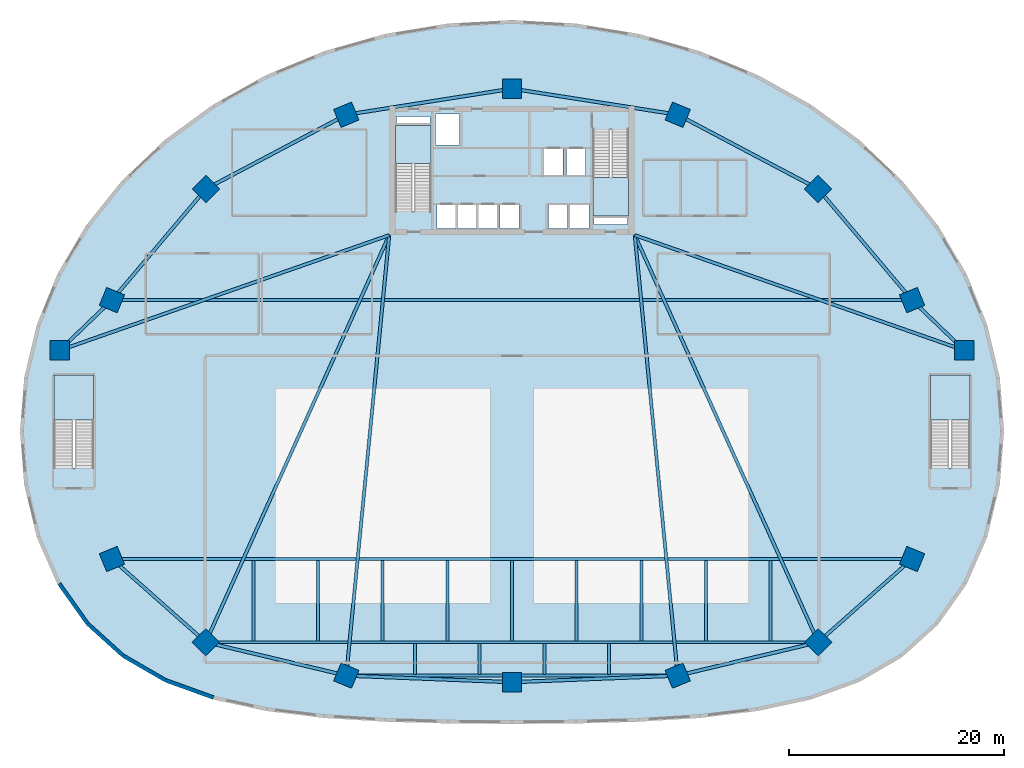
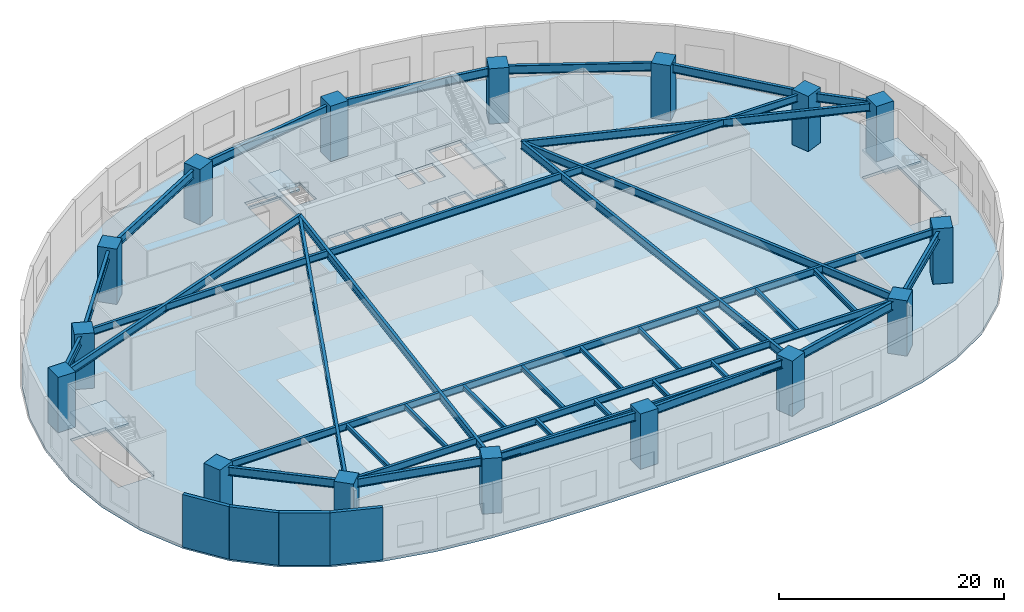
# One storey, part 1 of 10: 37 beams, 16 columns, 5 slabs, 4 walls, 4 elements without a shape of their own.
"""IFC4 building model written with IfcOpenShell, lengths in metres."""

from ifc_helpers import new_model, si_unit, direction, frame, frame_2d, origin, origin_2d, place, context, subcontext, project, spatial, polyline, rectangle, i_section, outline, extrude, source, transform, mapped, material, layer, layer_set, material_profile, profile_set, type_object, type_shapes, element, aggregate, save


model = new_model("IFC4")

# Units and contexts
model_context = context("Model", 3, precision=1e-05, world=origin(), true_north=direction((0.0, 1.0)))
body_context = subcontext(model_context, "Body", "Model", "MODEL_VIEW")
ifc_project = project(units=[si_unit("LENGTHUNIT", "METRE"), si_unit("AREAUNIT", "SQUARE_METRE"), si_unit("VOLUMEUNIT", "CUBIC_METRE"), si_unit("PLANEANGLEUNIT", "RADIAN"), si_unit("MASSUNIT", "GRAM", prefix="KILO")], contexts=[model_context])

# Site, building, storey
site_placement = place(None, origin())
site = spatial("IfcSite", under=ifc_project, at=site_placement, CompositionType="ELEMENT")
building_placement = place(site_placement, origin())
building = spatial("IfcBuilding", under=site, at=building_placement, Name="Breltana Convention Tower", CompositionType="ELEMENT")
storey_placement = place(building_placement, frame((0.0, 0.0, 12.0)))
storey = spatial("IfcBuildingStorey", under=building, at=storey_placement, Name="L02", CompositionType="ELEMENT", Elevation=12.0)

# Columns
ifc_material_1 = material(Name="Concrete C60/75", Category="concrete")
ifc_material_profile_1 = material_profile(ifc_material_1, rectangle(XDim=1.800048828125, YDim=1.800048828125, at=origin_2d()), Name="RC-COL-1800X1800")
ifc_profile_set_1 = profile_set([ifc_material_profile_1], Name="Concrete C60/75")
column_type = type_object("IfcColumnType", Name="COL-MC-1800", PredefinedType="COLUMN", material=ifc_profile_set_1)
shared_shape_1 = source(origin(), body_context, "Body", "SweptSolid", [
    extrude(rectangle(XDim=1.800048828125, YDim=1.800048828125, at=origin_2d()), origin(), (0.0, 0.0, 1.0), 6.0),
])
type_shapes(column_type, [shared_shape_1])
for number, where, z_axis, x_axis, name in (
    (1, (90.0, 49.5, 0.0), (0.0, 0.0, 1.0), (1.0, 0.0, 0.0), "L02 Podium Mega-Column MC-01"),
    (2, (85.139892578125, 54.169189453125, 0.0), (0.0, 0.0, 1.0), (0.923879532511, 0.382683432365, 0.0), "L02 Podium Mega-Column MC-02"),
    (3, (76.42578125, 64.486083984375, 0.0), (0.0, 0.0, 1.0), (0.707106781187, 0.707106781187, 0.0), "L02 Podium Mega-Column MC-03"),
    (4, (63.3837890625, 71.37939453125, 0.0), (0.0, 0.0, 1.0), (0.382683432365, 0.923879532511, 0.0), "L02 Podium Mega-Column MC-04"),
    (5, (48.0, 73.800048828125, 0.0), (0.0, 0.0, 1.0), (0.0, 1.0, 0.0), "L02 Podium Mega-Column MC-05"),
    (6, (32.6162109375, 71.37939453125, 0.0), (0.0, 0.0, 1.0), (-0.382683432365, 0.923879532511, 0.0), "L02 Podium Mega-Column MC-06"),
    (7, (19.57421875, 64.486083984375, 0.0), (0.0, 0.0, 1.0), (-0.707106781187, 0.707106781187, 0.0), "L02 Podium Mega-Column MC-07"),
    (8, (10.860107421875, 54.169189453125, 0.0), (0.0, 0.0, 1.0), (-0.923879532511, 0.382683432365, 0.0), "L02 Podium Mega-Column MC-08"),
    (9, (6.0, 49.5, 0.0), (0.0, 0.0, 1.0), (-1.0, 0.0, 0.0), "L02 Podium Mega-Column MC-09"),
    (10, (10.860107421875, 30.136962890625, 0.0), (0.0, 0.0, 1.0), (-0.923879532511, -0.382683432365, 0.0), "L02 Podium Mega-Column MC-10"),
    (11, (19.57421875, 22.412109375, 0.0), (0.0, 0.0, 1.0), (-0.707106781187, -0.707106781187, 0.0), "L02 Podium Mega-Column MC-11"),
    (12, (32.6162109375, 19.3125, 0.0), (0.0, 0.0, 1.0), (-0.382683432365, -0.923879532511, 0.0), "L02 Podium Mega-Column MC-12"),
    (13, (48.0, 18.699951171875, 0.0), (0.0, 0.0, 1.0), (0.0, -1.0, 0.0), "L02 Podium Mega-Column MC-13"),
    (14, (63.3837890625, 19.3125, 0.0), (0.0, 0.0, 1.0), (0.382683432365, -0.923879532511, 0.0), "L02 Podium Mega-Column MC-14"),
    (15, (76.42578125, 22.412109375, 0.0), (0.0, 0.0, 1.0), (0.707106781187, -0.707106781187, 0.0), "L02 Podium Mega-Column MC-15"),
    (16, (85.139892578125, 30.136962890625, 0.0), (0.0, 0.0, 1.0), (0.923879532511, -0.382683432365, 0.0), "L02 Podium Mega-Column MC-16"),
):
    element("IfcColumn", number, at=place(storey_placement, frame(where, z_axis=z_axis, x_axis=x_axis)), inside=storey, type_object=column_type, Name=name, PredefinedType="COLUMN", context=body_context, shape_type="MappedRepresentation", body=[
        mapped(shared_shape_1, transform((0.0, 0.0, 0.0), scale=1.0)),
    ])

# Beams
ifc_material_2 = material(Name="Steel ASTM A992 Grade 50", Category="steel")
ifc_material_profile_2 = material_profile(ifc_material_2, i_section(OverallWidth=0.304931640625, OverallDepth=0.9189453125, WebThickness=0.017333984375, FlangeThickness=0.02783203125, at=origin_2d()), Name="W36X170")
ifc_profile_set_2 = profile_set([ifc_material_profile_2], Name="Steel ASTM A992 Grade 50")
beam_type_1 = type_object("IfcBeamType", Name="BM-PD-W36X170", PredefinedType="USERDEFINED", material=ifc_profile_set_2)
shared_shape_2 = source(origin(), body_context, "Body", "SweptSolid", [
    extrude(i_section(OverallWidth=0.304931640625, OverallDepth=0.9189453125, WebThickness=0.017333984375, FlangeThickness=0.02783203125, at=origin_2d()), origin(), (0.0, 0.0, 1.0), 6.739501953125),
])
type_shapes(beam_type_1, [shared_shape_2])
for number, where, z_axis, x_axis, name in (
    (17, (90.0, 49.5, 5.240478515625), (-0.721128840463, 0.692800978242, 0.0), (-0.692800978242, -0.721128840463, 0.0), "L02 Podium Ring Girder 01"),
    (18, (10.860107421875, 54.169189453125, 5.240478515625), (-0.721128840463, -0.692800978242, 0.0), (0.692800978242, -0.721128840463, 0.0), "L02 Podium Ring Girder 08"),
):
    element("IfcBeam", number, at=place(storey_placement, frame(where, z_axis=z_axis, x_axis=x_axis)), inside=storey, type_object=beam_type_1, Name=name, ObjectType="GIRDER", PredefinedType="USERDEFINED", context=body_context, shape_type="MappedRepresentation", body=[
        mapped(shared_shape_2, transform((0.0, 0.0, 0.0), scale=1.0)),
    ])
shared_shape_3 = source(origin(), body_context, "Body", "SweptSolid", [
    extrude(i_section(OverallWidth=0.304931640625, OverallDepth=0.9189453125, WebThickness=0.017333984375, FlangeThickness=0.02783203125, at=origin_2d()), origin(), (0.0, 0.0, 1.0), 13.504638671875),
])
for number, where, z_axis, x_axis, name in (
    (19, (85.139892578125, 54.169189453125, 5.240478515625), (-0.645270162831, 0.763954460004, 0.0), (-0.763954460004, -0.645270162831, 0.0), "L02 Podium Ring Girder 02"),
    (20, (19.57421875, 64.486083984375, 5.240478515625), (-0.645270162831, -0.763954460004, 0.0), (0.763954460004, -0.645270162831, 0.0), "L02 Podium Ring Girder 07"),
):
    element("IfcBeam", number, at=place(storey_placement, frame(where, z_axis=z_axis, x_axis=x_axis)), inside=storey, type_object=beam_type_1, Name=name, ObjectType="GIRDER", PredefinedType="USERDEFINED", context=body_context, shape_type="MappedRepresentation", body=[
        mapped(shared_shape_3, transform((0.0, 0.0, 0.0), scale=1.0)),
    ])
shared_shape_4 = source(origin(), body_context, "Body", "SweptSolid", [
    extrude(i_section(OverallWidth=0.304931640625, OverallDepth=0.9189453125, WebThickness=0.017333984375, FlangeThickness=0.02783203125, at=origin_2d()), origin(), (0.0, 0.0, 1.0), 14.751708984375),
])
for number, where, z_axis, x_axis, name in (
    (21, (76.42578125, 64.486083984375, 5.240478515625), (-0.884103731281, 0.467290693611, 0.0), (-0.467290693611, -0.884103731281, 0.0), "L02 Podium Ring Girder 03"),
    (22, (32.6162109375, 71.37939453125, 5.240478515625), (-0.884103731281, -0.467290693611, 0.0), (0.467290693611, -0.884103731281, 0.0), "L02 Podium Ring Girder 06"),
):
    element("IfcBeam", number, at=place(storey_placement, frame(where, z_axis=z_axis, x_axis=x_axis)), inside=storey, type_object=beam_type_1, Name=name, ObjectType="GIRDER", PredefinedType="USERDEFINED", context=body_context, shape_type="MappedRepresentation", body=[
        mapped(shared_shape_4, transform((0.0, 0.0, 0.0), scale=1.0)),
    ])
shared_shape_5 = source(origin(), body_context, "Body", "SweptSolid", [
    extrude(i_section(OverallWidth=0.304931640625, OverallDepth=0.9189453125, WebThickness=0.017333984375, FlangeThickness=0.02783203125, at=origin_2d()), origin(), (0.0, 0.0, 1.0), 15.572998046875),
])
for number, where, z_axis, x_axis, name in (
    (23, (63.3837890625, 71.37939453125, 5.240478515625), (-0.987845575975, 0.155438470225, 0.0), (-0.155438470225, -0.987845575975, 0.0), "L02 Podium Ring Girder 04"),
    (24, (48.0, 73.800048828125, 5.240478515625), (-0.987845575975, -0.155438470225, 0.0), (0.155438470225, -0.987845575975, 0.0), "L02 Podium Ring Girder 05"),
):
    element("IfcBeam", number, at=place(storey_placement, frame(where, z_axis=z_axis, x_axis=x_axis)), inside=storey, type_object=beam_type_1, Name=name, ObjectType="GIRDER", PredefinedType="USERDEFINED", context=body_context, shape_type="MappedRepresentation", body=[
        mapped(shared_shape_5, transform((0.0, 0.0, 0.0), scale=1.0)),
    ])
shared_shape_6 = source(origin(), body_context, "Body", "SweptSolid", [
    extrude(i_section(OverallWidth=0.304931640625, OverallDepth=0.9189453125, WebThickness=0.017333984375, FlangeThickness=0.02783203125, at=origin_2d()), origin(), (0.0, 0.0, 1.0), 11.64501953125),
])
for number, where, z_axis, x_axis, name in (
    (25, (10.860107421875, 30.136962890625, 5.240478515625), (0.748305074373, -0.663354743458, 0.0), (0.663354743458, 0.748305074373, 0.0), "L02 Podium Ring Girder 10"),
    (26, (76.42578125, 22.412109375, 5.240478515625), (0.748305074373, 0.663354743458, 0.0), (-0.663354743458, 0.748305074373, 0.0), "L02 Podium Ring Girder 15"),
):
    element("IfcBeam", number, at=place(storey_placement, frame(where, z_axis=z_axis, x_axis=x_axis)), inside=storey, type_object=beam_type_1, Name=name, ObjectType="GIRDER", PredefinedType="USERDEFINED", context=body_context, shape_type="MappedRepresentation", body=[
        mapped(shared_shape_6, transform((0.0, 0.0, 0.0), scale=1.0)),
    ])
shared_shape_7 = source(origin(), body_context, "Body", "SweptSolid", [
    extrude(i_section(OverallWidth=0.304931640625, OverallDepth=0.9189453125, WebThickness=0.017333984375, FlangeThickness=0.02783203125, at=origin_2d()), origin(), (0.0, 0.0, 1.0), 13.4052734375),
])
for number, where, z_axis, x_axis, name in (
    (27, (19.57421875, 22.412109375, 5.240478515625), (0.972900712446, -0.231223276773, 0.0), (0.231223276773, 0.972900712446, 0.0), "L02 Podium Ring Girder 11"),
    (28, (63.3837890625, 19.3125, 5.240478515625), (0.972900712446, 0.231223276773, 0.0), (-0.231223276773, 0.972900712446, 0.0), "L02 Podium Ring Girder 14"),
):
    element("IfcBeam", number, at=place(storey_placement, frame(where, z_axis=z_axis, x_axis=x_axis)), inside=storey, type_object=beam_type_1, Name=name, ObjectType="GIRDER", PredefinedType="USERDEFINED", context=body_context, shape_type="MappedRepresentation", body=[
        mapped(shared_shape_7, transform((0.0, 0.0, 0.0), scale=1.0)),
    ])
shared_shape_8 = source(origin(), body_context, "Body", "SweptSolid", [
    extrude(i_section(OverallWidth=0.304931640625, OverallDepth=0.9189453125, WebThickness=0.017333984375, FlangeThickness=0.02783203125, at=origin_2d()), origin(), (0.0, 0.0, 1.0), 15.39599609375),
])
for number, where, z_axis, x_axis, name in (
    (29, (32.6162109375, 19.3125, 5.240478515625), (0.99920821229, -0.039786285226, 0.0), (0.039786285226, 0.99920821229, 0.0), "L02 Podium Ring Girder 12"),
    (30, (48.0, 18.699951171875, 5.240478515625), (0.99920821229, 0.039786285226, 0.0), (-0.039786285226, 0.99920821229, 0.0), "L02 Podium Ring Girder 13"),
):
    element("IfcBeam", number, at=place(storey_placement, frame(where, z_axis=z_axis, x_axis=x_axis)), inside=storey, type_object=beam_type_1, Name=name, ObjectType="GIRDER", PredefinedType="USERDEFINED", context=body_context, shape_type="MappedRepresentation", body=[
        mapped(shared_shape_8, transform((0.0, 0.0, 0.0), scale=1.0)),
    ])
ifc_material_profile_3 = material_profile(ifc_material_2, i_section(OverallWidth=0.2919921875, OverallDepth=0.845947265625, WebThickness=0.015380859375, FlangeThickness=0.0244140625, at=origin_2d()), Name="W33X141")
ifc_profile_set_3 = profile_set([ifc_material_profile_3], Name="Steel ASTM A992 Grade 50")
beam_type_2 = type_object("IfcBeamType", Name="BM-PD-W33X141", PredefinedType="USERDEFINED", material=ifc_profile_set_3)
shared_shape_9 = source(origin(), body_context, "Body", "SweptSolid", [
    extrude(i_section(OverallWidth=0.2919921875, OverallDepth=0.845947265625, WebThickness=0.015380859375, FlangeThickness=0.0244140625, at=origin_2d()), origin(), (0.0, 0.0, 1.0), 32.4169921875),
])
type_shapes(beam_type_2, [shared_shape_9])
for number, where, z_axis, x_axis, name in (
    (31, (90.0, 49.5, 5.277099609375), (-0.943955299763, 0.330073313143, 0.0), (-0.330073313143, -0.943955299763, 0.0), "L02 Long-Span Convention Girder 01"),
    (32, (6.0, 49.5, 5.277099609375), (0.943955299763, 0.330073313143, 0.0), (-0.330073313143, 0.943955299763, 0.0), "L02 Long-Span Convention Girder 09"),
):
    element("IfcBeam", number, at=place(storey_placement, frame(where, z_axis=z_axis, x_axis=x_axis)), inside=storey, type_object=beam_type_2, Name=name, ObjectType="GIRDER", PredefinedType="USERDEFINED", context=body_context, shape_type="MappedRepresentation", body=[
        mapped(shared_shape_9, transform((0.0, 0.0, 0.0), scale=1.0)),
    ])
shared_shape_10 = source(origin(), body_context, "Body", "SweptSolid", [
    extrude(i_section(OverallWidth=0.2919921875, OverallDepth=0.845947265625, WebThickness=0.015380859375, FlangeThickness=0.0244140625, at=origin_2d()), origin(), (0.0, 0.0, 1.0), 41.4462890625),
])
for number, where, z_axis, x_axis, name in (
    (33, (19.57421875, 22.412109375, 5.277099609375), (0.410793011164, 0.911728633958, 0.0), (-0.911728633958, 0.410793011164, 0.0), "L02 Long-Span Convention Girder 11"),
    (34, (76.42578125, 22.412109375, 5.277099609375), (-0.410793011164, 0.911728633958, 0.0), (-0.911728633958, -0.410793011164, 0.0), "L02 Long-Span Convention Girder 15"),
):
    element("IfcBeam", number, at=place(storey_placement, frame(where, z_axis=z_axis, x_axis=x_axis)), inside=storey, type_object=beam_type_2, Name=name, ObjectType="GIRDER", PredefinedType="USERDEFINED", context=body_context, shape_type="MappedRepresentation", body=[
        mapped(shared_shape_10, transform((0.0, 0.0, 0.0), scale=1.0)),
    ])
shared_shape_11 = source(origin(), body_context, "Body", "SweptSolid", [
    extrude(i_section(OverallWidth=0.2919921875, OverallDepth=0.845947265625, WebThickness=0.015380859375, FlangeThickness=0.0244140625, at=origin_2d()), origin(), (0.0, 0.0, 1.0), 41.0810546875),
])
for number, where, z_axis, x_axis, name in (
    (35, (32.6162109375, 19.3125, 5.277099609375), (0.096976195785, 0.995286701132, 0.0), (-0.995286701132, 0.096976195785, 0.0), "L02 Long-Span Convention Girder 12"),
    (36, (63.3837890625, 19.3125, 5.277099609375), (-0.096976195785, 0.995286701132, 0.0), (-0.995286701132, -0.096976195785, 0.0), "L02 Long-Span Convention Girder 14"),
):
    element("IfcBeam", number, at=place(storey_placement, frame(where, z_axis=z_axis, x_axis=x_axis)), inside=storey, type_object=beam_type_2, Name=name, ObjectType="GIRDER", PredefinedType="USERDEFINED", context=body_context, shape_type="MappedRepresentation", body=[
        mapped(shared_shape_11, transform((0.0, 0.0, 0.0), scale=1.0)),
    ])
ifc_material_profile_4 = material_profile(ifc_material_2, i_section(OverallWidth=0.26708984375, OverallDepth=0.761962890625, WebThickness=0.014404296875, FlangeThickness=0.021484375, at=origin_2d()), Name="W30X116")
ifc_profile_set_4 = profile_set([ifc_material_profile_4], Name="Steel ASTM A992 Grade 50")
beam_type_3 = type_object("IfcBeamType", Name="BM-PD-W30X116", PredefinedType="BEAM", material=ifc_profile_set_4)
shared_shape_12 = source(origin(), body_context, "Body", "SweptSolid", [
    extrude(i_section(OverallWidth=0.26708984375, OverallDepth=0.761962890625, WebThickness=0.014404296875, FlangeThickness=0.021484375, at=origin_2d()), origin(), (0.0, 0.0, 1.0), 74.27978515625),
])
type_shapes(beam_type_3, [shared_shape_12])
for number, where, z_axis, x_axis, name in (
    (37, (10.860107421875, 30.136962890625, 5.319091796875), (1.0, 0.0, 0.0), (0.0, 1.0, 0.0), "L02 Long-Span Hall Secondary Beam 01"),
    (38, (10.860107421875, 54.169189453125, 5.319091796875), (1.0, 0.0, 0.0), (0.0, 1.0, 0.0), "L02 Long-Span Hall Secondary Beam 04"),
):
    element("IfcBeam", number, at=place(storey_placement, frame(where, z_axis=z_axis, x_axis=x_axis)), inside=storey, type_object=beam_type_3, Name=name, PredefinedType="BEAM", context=body_context, shape_type="MappedRepresentation", body=[
        mapped(shared_shape_12, transform((0.0, 0.0, 0.0), scale=1.0)),
    ])
shared_shape_13 = source(origin(), body_context, "Body", "SweptSolid", [
    extrude(i_section(OverallWidth=0.26708984375, OverallDepth=0.761962890625, WebThickness=0.014404296875, FlangeThickness=0.021484375, at=origin_2d()), origin(), (0.0, 0.0, 1.0), 56.8515625),
])
beam_1_placement = place(storey_placement, frame((19.57421875, 22.412109375, 5.319091796875), z_axis=(1.0, 0.0, 0.0), x_axis=(0.0, 1.0, 0.0)))
element("IfcBeam", 39, at=beam_1_placement, inside=storey, type_object=beam_type_3, Name="L02 Long-Span Hall Secondary Beam 02", PredefinedType="BEAM", context=body_context, shape_type="MappedRepresentation", body=[
    mapped(shared_shape_13, transform((0.0, 0.0, 0.0), scale=1.0)),
])
shared_shape_14 = source(origin(), body_context, "Body", "SweptSolid", [
    extrude(i_section(OverallWidth=0.26708984375, OverallDepth=0.761962890625, WebThickness=0.014404296875, FlangeThickness=0.021484375, at=origin_2d()), origin(), (0.0, 0.0, 1.0), 30.767578125),
])
beam_2_placement = place(storey_placement, frame((32.6162109375, 19.3125, 5.319091796875), z_axis=(1.0, 0.0, 0.0), x_axis=(0.0, 1.0, 0.0)))
element("IfcBeam", 40, at=beam_2_placement, inside=storey, type_object=beam_type_3, Name="L02 Long-Span Hall Secondary Beam 03", PredefinedType="BEAM", context=body_context, shape_type="MappedRepresentation", body=[
    mapped(shared_shape_14, transform((0.0, 0.0, 0.0), scale=1.0)),
])
ifc_material_profile_5 = material_profile(ifc_material_2, i_section(OverallWidth=0.280029296875, OverallDepth=0.462890625, WebThickness=0.0107421875, FlangeThickness=0.017333984375, at=origin_2d()), Name="W18X76")
ifc_profile_set_5 = profile_set([ifc_material_profile_5], Name="Steel ASTM A992 Grade 50")
beam_type_4 = type_object("IfcBeamType", Name="BM-JS-W18X76", PredefinedType="JOIST", material=ifc_profile_set_5)
shared_shape_15 = source(origin(), body_context, "Body", "SweptSolid", [
    extrude(i_section(OverallWidth=0.280029296875, OverallDepth=0.462890625, WebThickness=0.0107421875, FlangeThickness=0.017333984375, at=origin_2d()), origin(), (0.0, 0.0, 1.0), 7.48486328125),
])
type_shapes(beam_type_4, [shared_shape_15])
for number, where, z_axis, x_axis, name in (
    (41, (24.0, 22.531982421875, 5.468505859375), (0.0, 1.0, 0.0), (-1.0, 0.0, 0.0), "L02 Hall Span Joist 1.24"),
    (42, (30.0, 22.531982421875, 5.468505859375), (0.0, 1.0, 0.0), (-1.0, 0.0, 0.0), "L02 Hall Span Joist 1.30"),
    (43, (36.0, 22.531982421875, 5.468505859375), (0.0, 1.0, 0.0), (-1.0, 0.0, 0.0), "L02 Hall Span Joist 1.36"),
    (44, (42.0, 22.531982421875, 5.468505859375), (0.0, 1.0, 0.0), (-1.0, 0.0, 0.0), "L02 Hall Span Joist 1.42"),
    (45, (48.0, 22.531982421875, 5.468505859375), (0.0, 1.0, 0.0), (-1.0, 0.0, 0.0), "L02 Hall Span Joist 1.48"),
    (46, (54.0, 22.531982421875, 5.468505859375), (0.0, 1.0, 0.0), (-1.0, 0.0, 0.0), "L02 Hall Span Joist 1.54"),
    (47, (60.0, 22.531982421875, 5.468505859375), (0.0, 1.0, 0.0), (-1.0, 0.0, 0.0), "L02 Hall Span Joist 1.60"),
    (48, (66.0, 22.531982421875, 5.468505859375), (0.0, 1.0, 0.0), (-1.0, 0.0, 0.0), "L02 Hall Span Joist 1.66"),
    (49, (72.0, 22.531982421875, 5.468505859375), (0.0, 1.0, 0.0), (-1.0, 0.0, 0.0), "L02 Hall Span Joist 1.72"),
):
    element("IfcBeam", number, at=place(storey_placement, frame(where, z_axis=z_axis, x_axis=x_axis)), inside=storey, type_object=beam_type_4, Name=name, PredefinedType="JOIST", context=body_context, shape_type="MappedRepresentation", body=[
        mapped(shared_shape_15, transform((0.0, 0.0, 0.0), scale=1.0)),
    ])
shared_shape_16 = source(origin(), body_context, "Body", "SweptSolid", [
    extrude(i_section(OverallWidth=0.280029296875, OverallDepth=0.462890625, WebThickness=0.0107421875, FlangeThickness=0.017333984375, at=origin_2d()), origin(), (0.0, 0.0, 1.0), 2.859375),
])
for number, where, z_axis, x_axis, name in (
    (50, (39.0, 19.4326171875, 5.468505859375), (0.0, 1.0, 0.0), (-1.0, 0.0, 0.0), "L02 Hall Span Joist 2.39"),
    (51, (45.0, 19.4326171875, 5.468505859375), (0.0, 1.0, 0.0), (-1.0, 0.0, 0.0), "L02 Hall Span Joist 2.45"),
    (52, (51.0, 19.4326171875, 5.468505859375), (0.0, 1.0, 0.0), (-1.0, 0.0, 0.0), "L02 Hall Span Joist 2.51"),
    (53, (57.0, 19.4326171875, 5.468505859375), (0.0, 1.0, 0.0), (-1.0, 0.0, 0.0), "L02 Hall Span Joist 2.57"),
):
    element("IfcBeam", number, at=place(storey_placement, frame(where, z_axis=z_axis, x_axis=x_axis)), inside=storey, type_object=beam_type_4, Name=name, PredefinedType="JOIST", context=body_context, shape_type="MappedRepresentation", body=[
        mapped(shared_shape_16, transform((0.0, 0.0, 0.0), scale=1.0)),
    ])

# Slab
ifc_material_3 = material(Name="Concrete C40/50", Category="concrete")
ifc_layer_1 = layer(ifc_material_3, 0.300048828125, Name="Concrete C40/50")
ifc_layer_set_1 = layer_set([ifc_layer_1], Name="Concrete C40/50")
slab_type_1 = type_object("IfcSlabType", Name="SL-POD-300", PredefinedType="FLOOR", material=ifc_layer_set_1)
slab_1_placement = place(storey_placement, frame((0.0, 0.0, -0.300048828125)))
element("IfcSlab", 54, at=slab_1_placement, inside=storey, type_object=slab_type_1, Name="L02 Suspended Structural Floor Slab", PredefinedType="FLOOR", context=body_context, shape_type="SweptSolid", body=[
    extrude(outline(polyline([(93.5, 42.0), (93.110595703125, 46.9599609375), (91.94970703125, 51.835205078125), (90.03662109375, 56.5419921875), (87.404296875, 61.0), (84.09765625, 65.1328125), (80.17333984375, 68.8701171875), (75.698486328125, 72.1474609375), (70.75, 74.908935546875), (65.412109375, 77.107421875), (59.7763671875, 78.705078125), (53.93896484375, 79.6748046875), (48.0, 80.0), (42.06103515625, 79.6748046875), (36.2236328125, 78.705078125), (30.587890625, 77.107421875), (25.25, 74.908935546875), (20.301513671875, 72.1474609375), (15.82666015625, 68.8701171875), (11.90234375, 65.1328125), (8.595703125, 61.0), (5.96337890625, 56.5419921875), (4.05029296875, 51.835205078125), (2.889404296875, 46.9599609375), (2.5, 42.0), (2.889404296875, 37.0400390625), (4.05029296875, 32.20849609375), (5.96337890625, 27.854248046875), (8.595703125, 24.14501953125), (11.90234375, 21.154052734375), (15.82666015625, 18.880615234375), (20.301513671875, 17.2626953125), (25.25, 16.196044921875), (30.587890625, 15.552734375), (36.2236328125, 15.205078125), (42.06103515625, 15.044921875), (48.0, 15.0), (53.93896484375, 15.044921875), (59.7763671875, 15.205078125), (65.412109375, 15.552734375), (70.75, 16.196044921875), (75.698486328125, 17.2626953125), (80.17333984375, 18.880615234375), (84.09765625, 21.154052734375), (87.404296875, 24.14501953125), (90.03662109375, 27.854248046875), (91.94970703125, 32.20849609375), (93.110595703125, 37.0400390625), (93.5, 42.0)]), holes=[polyline([(37.199951171875, 62.385009765625), (40.469970703125, 62.385009765625), (40.469970703125, 70.39990234375), (37.199951171875, 70.39990234375), (37.199951171875, 62.385009765625)]), polyline([(55.530029296875, 62.0), (58.800048828125, 62.0), (58.800048828125, 70.014892578125), (55.530029296875, 70.014892578125), (55.530029296875, 62.0)]), polyline([(5.5, 38.5849609375), (9.169921875, 38.5849609375), (9.169921875, 47.199951171875), (5.5, 47.199951171875), (5.5, 38.5849609375)]), polyline([(86.830078125, 38.5849609375), (90.5, 38.5849609375), (90.5, 47.199951171875), (86.830078125, 47.199951171875), (86.830078125, 38.5849609375)]), polyline([(41.0400390625, 60.800048828125), (42.800048828125, 60.800048828125), (42.800048828125, 62.97998046875), (41.0400390625, 62.97998046875), (41.0400390625, 60.800048828125)]), polyline([(42.93994140625, 60.800048828125), (44.699951171875, 60.800048828125), (44.699951171875, 62.97998046875), (42.93994140625, 62.97998046875), (42.93994140625, 60.800048828125)]), polyline([(44.8701171875, 60.800048828125), (46.6298828125, 60.800048828125), (46.6298828125, 62.97998046875), (44.8701171875, 62.97998046875), (44.8701171875, 60.800048828125)]), polyline([(46.8701171875, 60.800048828125), (48.6298828125, 60.800048828125), (48.6298828125, 62.97998046875), (46.8701171875, 62.97998046875), (46.8701171875, 60.800048828125)]), polyline([(51.39990234375, 60.800048828125), (53.159912109375, 60.800048828125), (53.159912109375, 62.97998046875), (51.39990234375, 62.97998046875), (51.39990234375, 60.800048828125)]), polyline([(53.39990234375, 60.800048828125), (55.159912109375, 60.800048828125), (55.159912109375, 62.97998046875), (53.39990234375, 62.97998046875), (53.39990234375, 60.800048828125)]), polyline([(50.969970703125, 65.800048828125), (52.72998046875, 65.800048828125), (52.72998046875, 68.179931640625), (50.969970703125, 68.179931640625), (50.969970703125, 65.800048828125)]), polyline([(53.070068359375, 65.800048828125), (54.830078125, 65.800048828125), (54.830078125, 68.179931640625), (53.070068359375, 68.179931640625), (53.070068359375, 65.800048828125)]), polyline([(40.8798828125, 68.550048828125), (43.1201171875, 68.550048828125), (43.1201171875, 71.449951171875), (40.8798828125, 71.449951171875), (40.8798828125, 68.550048828125)]), polyline([(37.300048828125, 70.60009765625), (40.3798828125, 70.60009765625), (40.3798828125, 71.219970703125), (37.300048828125, 71.219970703125), (37.300048828125, 70.60009765625)]), polyline([(55.6201171875, 61.179931640625), (58.699951171875, 61.179931640625), (58.699951171875, 61.800048828125), (55.6201171875, 61.800048828125), (55.6201171875, 61.179931640625)])]), origin(), (0.0, 0.0, 1.0), 0.300048828125),
])

# Stair, slab
stair_type_1 = type_object("IfcStairType", Name="ST-DOG-1560-R176", PredefinedType="HALF_TURN_STAIR", material=ifc_material_3)
stair_1_placement = place(storey_placement, origin())
stair_1 = element("IfcStair", 55, at=stair_1_placement, inside=storey, type_object=stair_type_1, Name="L02 Protected Core Exit Stair ST-1", PredefinedType="HALF_TURN_STAIR")
ifc_layer_2 = layer(ifc_material_3, 0.199951171875, Name="Concrete C40/50")
ifc_layer_set_2 = layer_set([ifc_layer_2], Name="Concrete C40/50")
slab_type_2 = type_object("IfcSlabType", Name="SL-STAIR-LANDING-200", PredefinedType="LANDING", material=ifc_layer_set_2)
slab_2_placement = place(storey_placement, frame((0.0, 0.0, 2.800048828125)))
slab_2 = element("IfcSlab", 56, at=slab_2_placement, type_object=slab_type_2, Name="ST-1 landing 1", PredefinedType="LANDING", context=body_context, shape_type="SweptSolid", body=[
    extrude(outline(polyline([(40.469970703125, 66.840087890625), (40.469970703125, 70.39990234375), (37.199951171875, 70.39990234375), (37.199951171875, 66.840087890625), (40.469970703125, 66.840087890625)])), origin(), (0.0, 0.0, 1.0), 0.199951171875),
])
aggregate(stair_1, [slab_2])

stair_2_placement = place(storey_placement, origin())
stair_2 = element("IfcStair", 57, at=stair_2_placement, inside=storey, type_object=stair_type_1, Name="L02 Protected Core Exit Stair ST-2", PredefinedType="HALF_TURN_STAIR")
slab_3_placement = place(storey_placement, frame((0.0, 0.0, 2.800048828125)))
slab_3 = element("IfcSlab", 58, at=slab_3_placement, type_object=slab_type_2, Name="ST-2 landing 1", PredefinedType="LANDING", context=body_context, shape_type="SweptSolid", body=[
    extrude(outline(polyline([(55.530029296875, 65.56005859375), (55.530029296875, 62.0), (58.800048828125, 62.0), (58.800048828125, 65.56005859375), (55.530029296875, 65.56005859375)])), origin(), (0.0, 0.0, 1.0), 0.199951171875),
])
aggregate(stair_2, [slab_3])

stair_type_2 = type_object("IfcStairType", Name="ST-DOG-1760-R176", PredefinedType="HALF_TURN_STAIR", material=ifc_material_3)
stair_3_placement = place(storey_placement, origin())
stair_3 = element("IfcStair", 59, at=stair_3_placement, inside=storey, type_object=stair_type_2, Name="L02 Protected Podium Exit Stair ST-3", PredefinedType="HALF_TURN_STAIR")
slab_4_placement = place(storey_placement, frame((0.0, 0.0, 2.800048828125)))
slab_4 = element("IfcSlab", 60, at=slab_4_placement, type_object=slab_type_2, Name="ST-3 landing 1", PredefinedType="LANDING", context=body_context, shape_type="SweptSolid", body=[
    extrude(outline(polyline([(9.169921875, 43.0400390625), (9.169921875, 47.199951171875), (5.5, 47.199951171875), (5.5, 43.0400390625), (9.169921875, 43.0400390625)])), origin(), (0.0, 0.0, 1.0), 0.199951171875),
])
aggregate(stair_3, [slab_4])

stair_4_placement = place(storey_placement, origin())
stair_4 = element("IfcStair", 61, at=stair_4_placement, inside=storey, type_object=stair_type_2, Name="L02 Protected Podium Exit Stair ST-4", PredefinedType="HALF_TURN_STAIR")
slab_5_placement = place(storey_placement, frame((0.0, 0.0, 2.800048828125)))
slab_5 = element("IfcSlab", 62, at=slab_5_placement, type_object=slab_type_2, Name="ST-4 landing 1", PredefinedType="LANDING", context=body_context, shape_type="SweptSolid", body=[
    extrude(outline(polyline([(90.5, 43.0400390625), (90.5, 47.199951171875), (86.830078125, 47.199951171875), (86.830078125, 43.0400390625), (90.5, 43.0400390625)])), origin(), (0.0, 0.0, 1.0), 0.199951171875),
])
aggregate(stair_4, [slab_5])

# Walls
ifc_material_4 = material(Name="Limestone Buff Insulated Wall", Category="masonry")
ifc_layer_3 = layer(ifc_material_4, 0.35009765625, Name="Limestone Buff Insulated Wall")
ifc_layer_set_3 = layer_set([ifc_layer_3], Name="Limestone Buff Insulated Wall")
wall_type = type_object("IfcWallType", Name="WL-EXT-POD-350", PredefinedType="SOLIDWALL", material=ifc_layer_set_3)
shared_shape_17 = source(origin(), body_context, "Body", "SweptSolid", [
    extrude(rectangle(XDim=4.54833984375, YDim=0.35009765625, at=frame_2d((2.274169921875, 0.0))), origin(), (0.0, 0.0, 1.0), 5.699951171875),
])
wall_1_placement = place(storey_placement, frame((5.96337890625, 27.854248046875, 0.0), z_axis=(0.0, 0.0, 1.0), x_axis=(0.578742399763, -0.815510413616, 0.0)))
element("IfcWall", 63, at=wall_1_placement, inside=storey, type_object=wall_type, Name="L02 limestone facade wall 28", PredefinedType="SOLIDWALL", context=body_context, shape_type="MappedRepresentation", body=[
    mapped(shared_shape_17, transform((0.0, 0.0, 0.0), scale=1.0)),
])
shared_shape_18 = source(origin(), body_context, "Body", "SweptSolid", [
    extrude(rectangle(XDim=4.458740234375, YDim=0.35009765625, at=frame_2d((2.2294921875, 0.0))), origin(), (0.0, 0.0, 1.0), 5.699951171875),
])
wall_2_placement = place(storey_placement, frame((8.595703125, 24.14501953125, 0.0), z_axis=(0.0, 0.0, 1.0), x_axis=(0.741620092595, -0.670820123625, 0.0)))
element("IfcWall", 64, at=wall_2_placement, inside=storey, type_object=wall_type, Name="L02 limestone facade wall 29", PredefinedType="SOLIDWALL", context=body_context, shape_type="MappedRepresentation", body=[
    mapped(shared_shape_18, transform((0.0, 0.0, 0.0), scale=1.0)),
])
shared_shape_19 = source(origin(), body_context, "Body", "SweptSolid", [
    extrude(rectangle(XDim=4.535400390625, YDim=0.35009765625, at=frame_2d((2.267578125, 0.0))), origin(), (0.0, 0.0, 1.0), 5.699951171875),
])
wall_3_placement = place(storey_placement, frame((11.90234375, 21.154052734375, 0.0), z_axis=(0.0, 0.0, 1.0), x_axis=(0.86528620064, -0.501278157295, 0.0)))
element("IfcWall", 65, at=wall_3_placement, inside=storey, type_object=wall_type, Name="L02 limestone facade wall 30", PredefinedType="SOLIDWALL", context=body_context, shape_type="MappedRepresentation", body=[
    mapped(shared_shape_19, transform((0.0, 0.0, 0.0), scale=1.0)),
])
shared_shape_20 = source(origin(), body_context, "Body", "SweptSolid", [
    extrude(rectangle(XDim=4.75830078125, YDim=0.35009765625, at=frame_2d((2.379150390625, 0.0))), origin(), (0.0, 0.0, 1.0), 5.699951171875),
])
wall_4_placement = place(storey_placement, frame((15.82666015625, 18.880615234375, 0.0), z_axis=(0.0, 0.0, 1.0), x_axis=(0.940419515454, -0.340016374538, 0.0)))
element("IfcWall", 66, at=wall_4_placement, inside=storey, type_object=wall_type, Name="L02 limestone facade wall 31", PredefinedType="SOLIDWALL", context=body_context, shape_type="MappedRepresentation", body=[
    mapped(shared_shape_20, transform((0.0, 0.0, 0.0), scale=1.0)),
])

save(model, "model.ifc")
